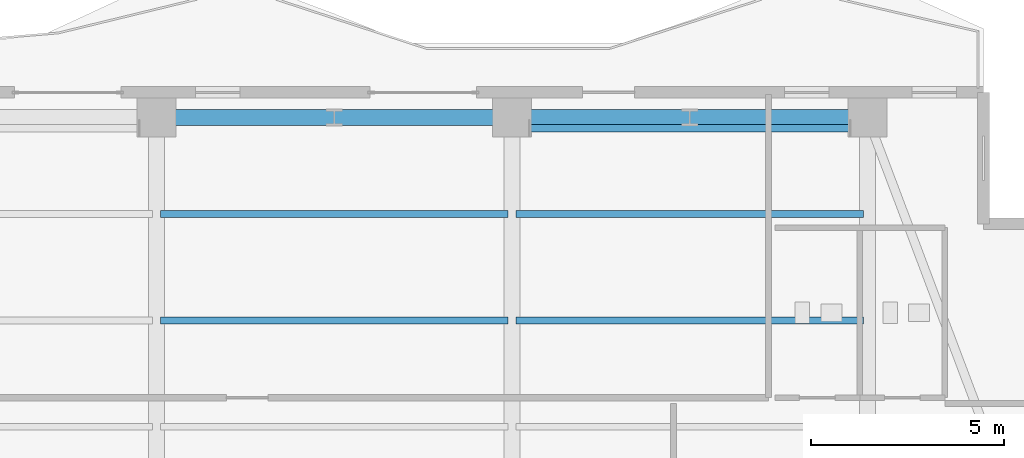
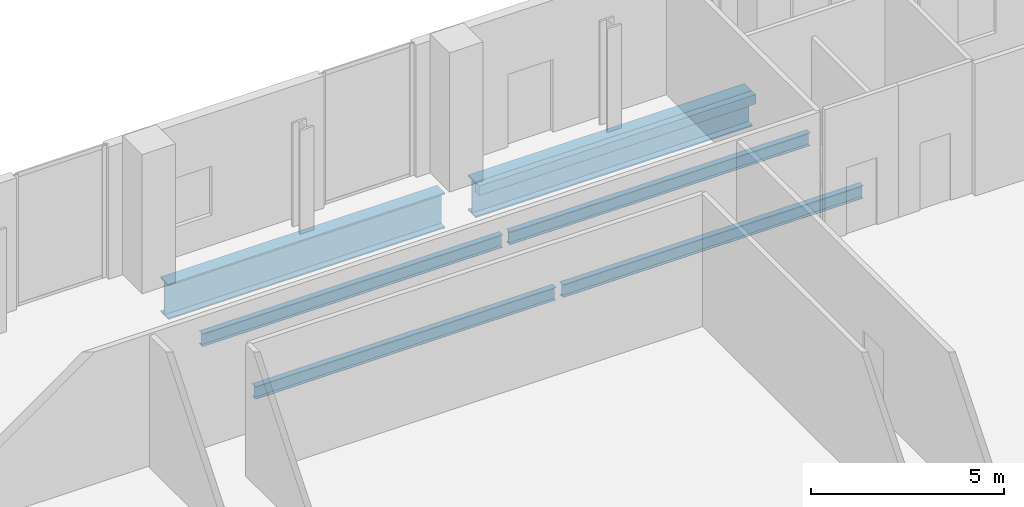
# One storey, part 13 of 24: 7 beams.
"""IFC4 building model written with IfcOpenShell, lengths in metres."""

from ifc_helpers import new_model, si_unit, direction, frame, origin, origin_2d, place, context, subcontext, project, spatial, hollow_rectangle, i_section, extrude, material, material_profile, profile_set, type_object, element, save


model = new_model("IFC4")

# Units and contexts
model_context = context("Model", 3, precision=1e-05, world=origin(), true_north=direction((0.0, 1.0)))
body_context = subcontext(model_context, "Body", "Model", "MODEL_VIEW")
ifc_project = project(units=[si_unit("LENGTHUNIT", "METRE"), si_unit("AREAUNIT", "SQUARE_METRE"), si_unit("VOLUMEUNIT", "CUBIC_METRE"), si_unit("PLANEANGLEUNIT", "RADIAN"), si_unit("MASSUNIT", "GRAM", prefix="KILO")], contexts=[model_context])

# Site, building, storey
site_placement = place(None, origin())
site = spatial("IfcSite", under=ifc_project, at=site_placement, CompositionType="ELEMENT")
building_placement = place(site_placement, origin())
building = spatial("IfcBuilding", under=site, at=building_placement, Name="Zuhayl Quay Hotel", CompositionType="ELEMENT")
storey_placement = place(building_placement, frame((0.0, 0.0, 284.050048828125)))
storey = spatial("IfcBuildingStorey", under=building, at=storey_placement, Name="L72", CompositionType="ELEMENT", Elevation=284.050048828125)

# Beams
ifc_material_1 = material(Name="Steel ASTM A992 Grade 50", Category="steel")
ifc_material_profile_1 = material_profile(ifc_material_1, i_section(OverallWidth=0.177978515625, OverallDepth=0.404052734375, WebThickness=0.007568359375, FlangeThickness=0.010986328125, at=origin_2d()), Name="W16X36")
ifc_profile_set_1 = profile_set([ifc_material_profile_1], Name="Steel ASTM A992 Grade 50")
beam_type_1 = type_object("IfcBeamType", Name="BM_J3_W16X36", PredefinedType="JOIST", material=ifc_profile_set_1)
beam_1_placement = place(storey_placement, frame((-4.493896484375, 33.10009765625, -0.422119140625), z_axis=(1.0, 0.0, 0.0), x_axis=(0.0, 1.0, 0.0)))
element("IfcBeam", 1, at=beam_1_placement, inside=storey, type_object=beam_type_1, Name="L72 Floor Beam FJ_L72_7_2", PredefinedType="JOIST", context=body_context, shape_type="SweptSolid", body=[
    extrude(i_section(OverallWidth=0.177978515625, OverallDepth=0.404052734375, WebThickness=0.007568359375, FlangeThickness=0.010986328125, at=origin_2d()), origin(), (0.0, 0.0, 1.0), 8.98779296875),
])
beam_2_placement = place(storey_placement, frame((4.7060546875, 33.10009765625, -0.422119140625), z_axis=(1.0, 0.0, 0.0), x_axis=(0.0, 1.0, 0.0)))
element("IfcBeam", 2, at=beam_2_placement, inside=storey, type_object=beam_type_1, Name="L72 Floor Beam FJ_L72_7_3", PredefinedType="JOIST", context=body_context, shape_type="SweptSolid", body=[
    extrude(i_section(OverallWidth=0.177978515625, OverallDepth=0.404052734375, WebThickness=0.007568359375, FlangeThickness=0.010986328125, at=origin_2d()), origin(), (0.0, 0.0, 1.0), 8.988037109375),
])
beam_3_placement = place(storey_placement, frame((-4.493896484375, 35.85009765625, -0.422119140625), z_axis=(1.0, 0.0, 0.0), x_axis=(0.0, 1.0, 0.0)))
element("IfcBeam", 3, at=beam_3_placement, inside=storey, type_object=beam_type_1, Name="L72 Floor Beam FJ_L72_8_2", PredefinedType="JOIST", context=body_context, shape_type="SweptSolid", body=[
    extrude(i_section(OverallWidth=0.177978515625, OverallDepth=0.404052734375, WebThickness=0.007568359375, FlangeThickness=0.010986328125, at=origin_2d()), origin(), (0.0, 0.0, 1.0), 8.98779296875),
])
beam_4_placement = place(storey_placement, frame((4.7060546875, 35.85009765625, -0.422119140625), z_axis=(1.0, 0.0, 0.0), x_axis=(0.0, 1.0, 0.0)))
element("IfcBeam", 4, at=beam_4_placement, inside=storey, type_object=beam_type_1, Name="L72 Floor Beam FJ_L72_8_3", PredefinedType="JOIST", context=body_context, shape_type="SweptSolid", body=[
    extrude(i_section(OverallWidth=0.177978515625, OverallDepth=0.404052734375, WebThickness=0.007568359375, FlangeThickness=0.010986328125, at=origin_2d()), origin(), (0.0, 0.0, 1.0), 8.988037109375),
])
ifc_material_2 = material(Name="Steel ASTM A500 Grade C", Category="steel")
ifc_material_profile_2 = material_profile(ifc_material_2, hollow_rectangle(XDim=0.199951171875, YDim=0.300048828125, WallThickness=0.012451171875, at=origin_2d()), Name="HSS300X200X12")
ifc_profile_set_2 = profile_set([ifc_material_profile_2], Name="Steel ASTM A500 Grade C")
beam_type_2 = type_object("IfcBeamType", Name="BM_SP1_HSS300", PredefinedType="SPANDREL", material=ifc_profile_set_2)
beam_5_placement = place(storey_placement, frame((5.06005859375, 38.070068359375, -0.3701171875), z_axis=(1.0, 0.0, 0.0), x_axis=(0.0, 1.0, 0.0)))
element("IfcBeam", 5, at=beam_5_placement, inside=storey, type_object=beam_type_2, Name="L72 Perimeter Spandrel Beam SP1-2", PredefinedType="SPANDREL", context=body_context, shape_type="SweptSolid", body=[
    extrude(hollow_rectangle(XDim=0.199951171875, YDim=0.300048828125, WallThickness=0.012451171875, at=origin_2d()), origin(), (0.0, 0.0, 1.0), 8.280029296875),
])
ifc_material_3 = material(Name="Steel ASTM A913 Grade 65", Category="steel")
ifc_material_profile_3 = material_profile(ifc_material_3, i_section(OverallWidth=0.404052734375, OverallDepth=1.117919921875, WebThickness=0.026123046875, FlangeThickness=0.044921875, at=origin_2d()), Name="W44X335")
ifc_profile_set_3 = profile_set([ifc_material_profile_3], Name="Steel ASTM A913 Grade 65")
beam_type_3 = type_object("IfcBeamType", Name="BM_TG1_W44X335", PredefinedType="BEAM", material=ifc_profile_set_3)
beam_6_placement = place(storey_placement, frame((13.340087890625, 38.35009765625, -0.779052734375), z_axis=(-1.0, 0.0, 0.0), x_axis=(0.0, -1.0, 0.0)))
element("IfcBeam", 6, at=beam_6_placement, inside=storey, type_object=beam_type_3, Name="L72 Floor Beam RG_L72_07", PredefinedType="BEAM", context=body_context, shape_type="SweptSolid", body=[
    extrude(i_section(OverallWidth=0.404052734375, OverallDepth=1.117919921875, WebThickness=0.026123046875, FlangeThickness=0.044921875, at=origin_2d()), origin(), (0.0, 0.0, 1.0), 8.280029296875),
])
beam_7_placement = place(storey_placement, frame((4.139892578125, 38.35009765625, -0.779052734375), z_axis=(-1.0, 0.0, 0.0), x_axis=(0.0, -1.0, 0.0)))
element("IfcBeam", 7, at=beam_7_placement, inside=storey, type_object=beam_type_3, Name="L72 Floor Beam RG_L72_08", PredefinedType="BEAM", context=body_context, shape_type="SweptSolid", body=[
    extrude(i_section(OverallWidth=0.404052734375, OverallDepth=1.117919921875, WebThickness=0.026123046875, FlangeThickness=0.044921875, at=origin_2d()), origin(), (0.0, 0.0, 1.0), 8.27978515625),
])

save(model, "model.ifc")
